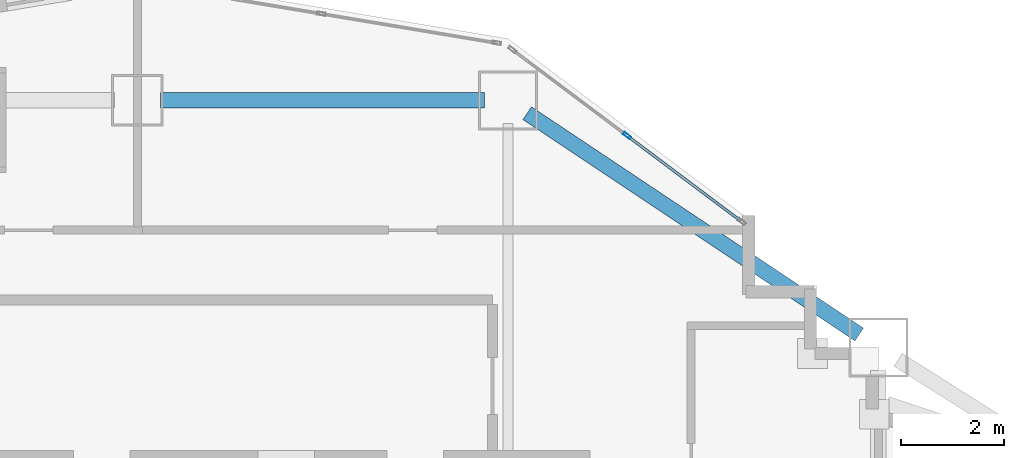
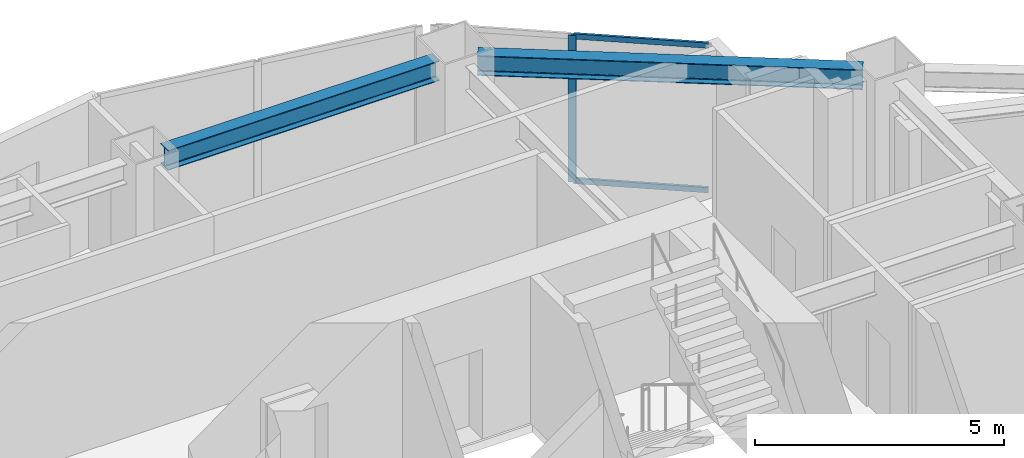
# One storey, part 3 of 16: 3 members, 2 beams, 1 element without a shape of its own.
"""IFC4 building model written with IfcOpenShell, lengths in metres."""

from ifc_helpers import new_model, si_unit, direction, frame, origin, origin_2d, place, context, subcontext, project, spatial, hollow_rectangle, i_section, extrude, material, layer, layer_set, material_profile, profile_set, type_object, element, aggregate, save


model = new_model("IFC4")

# Units and contexts
model_context = context("Model", 3, precision=1e-05, world=origin(), true_north=direction((0.0, 1.0)))
body_context = subcontext(model_context, "Body", "Model", "MODEL_VIEW")
ifc_project = project(units=[si_unit("LENGTHUNIT", "METRE"), si_unit("AREAUNIT", "SQUARE_METRE"), si_unit("VOLUMEUNIT", "CUBIC_METRE"), si_unit("PLANEANGLEUNIT", "RADIAN"), si_unit("MASSUNIT", "GRAM", prefix="KILO")], contexts=[model_context])

# Site, building, storey
site_placement = place(None, origin())
site = spatial("IfcSite", under=ifc_project, at=site_placement, CompositionType="ELEMENT")
building_placement = place(site_placement, origin())
building = spatial("IfcBuilding", under=site, at=building_placement, Name="Haolan Belvedere Tower", CompositionType="ELEMENT")
storey_placement = place(building_placement, frame((0.0, 0.0, 78.0)))
storey = spatial("IfcBuildingStorey", under=building, at=storey_placement, Name="L19", CompositionType="ELEMENT", Elevation=78.0)

# Beams
ifc_material_1 = material(Name="Steel Q355B", Category="steel")
ifc_material_profile_1 = material_profile(ifc_material_1, i_section(OverallWidth=0.300048828125, OverallDepth=0.488037109375, WebThickness=0.010986328125, FlangeThickness=0.01806640625, FilletRadius=0.02587890625, at=origin_2d()), Name="Steel Q355B")
ifc_profile_set_1 = profile_set([ifc_material_profile_1], Name="Steel Q355B")
beam_type = type_object("IfcBeamType", Name="BM-HM488x300x11x18", PredefinedType="SPANDREL", material=ifc_profile_set_1)
beam_1_placement = place(storey_placement, frame((38.85009765625, 50.39990234375, 3.35595703125), z_axis=(1.0, 0.0, 0.0), x_axis=(0.0, 1.0, 0.0)))
element("IfcBeam", 1, at=beam_1_placement, inside=storey, type_object=beam_type, Name="L19 spandrel girder TC-T3-NM-MC-T3-N2", PredefinedType="SPANDREL", context=body_context, shape_type="SweptSolid", body=[
    extrude(i_section(OverallWidth=0.300048828125, OverallDepth=0.488037109375, WebThickness=0.010986328125, FlangeThickness=0.01806640625, FilletRadius=0.02587890625, at=origin_2d()), origin(), (0.0, 0.0, 1.0), 6.2998046875),
])
beam_2_placement = place(storey_placement, frame((45.974365234375, 50.150390625, 3.35595703125), z_axis=(0.832050294338, -0.554700196225, 0.0), x_axis=(0.554700196225, 0.832050294338, 0.0)))
element("IfcBeam", 2, at=beam_2_placement, inside=storey, type_object=beam_type, Name="L19 spandrel girder MC-T3-N2-MC-T3-NE", PredefinedType="SPANDREL", context=body_context, shape_type="SweptSolid", body=[
    extrude(i_section(OverallWidth=0.300048828125, OverallDepth=0.488037109375, WebThickness=0.010986328125, FlangeThickness=0.01806640625, FilletRadius=0.02587890625, at=origin_2d()), origin(), (0.0, 0.0, 1.0), 7.75341796875),
])

# Curtain wall, members
ifc_material_2 = material(Name="Anodised champagne-silver aluminium 6063-T6 and Low-E glass", Category="aluminium")
ifc_layer = layer(ifc_material_2, 0.1650390625, Name="Anodised champagne-silver aluminium 6063-T6 and Low-E glass")
ifc_layer_set = layer_set([ifc_layer], Name="Anodised champagne-silver aluminium 6063-T6 and Low-E glass")
curtain_wall_type = type_object("IfcCurtainWallType", Name="CW-SYS-02", PredefinedType="NOTDEFINED", material=ifc_layer_set)
curtain_wall_placement = place(storey_placement, origin())
curtain_wall = element("IfcCurtainWall", 3, at=curtain_wall_placement, inside=storey, type_object=curtain_wall_type, Name="L19 CW-SYS-02 ribbon curtain wall 41.1", PredefinedType="NOTDEFINED")
ifc_material_3 = material(Name="Anodised aluminium 6063-T6", Category="aluminium")
ifc_material_profile_2 = material_profile(ifc_material_3, hollow_rectangle(XDim=0.06005859375, YDim=0.1650390625, WallThickness=0.00390625, at=origin_2d()), Name="Anodised aluminium 6063-T6")
ifc_profile_set_2 = profile_set([ifc_material_profile_2], Name="Anodised aluminium 6063-T6")
member_type_1 = type_object("IfcMemberType", Name="CW-SYS-02-MUL", PredefinedType="MULLION", material=ifc_profile_set_2)
member_1_placement = place(storey_placement, frame((47.915771484375, 49.713134765625, 0.0), z_axis=(0.0, 0.0, 1.0), x_axis=(-0.599994316874, -0.800004262313, 0.0)))
member_1 = element("IfcMember", 4, at=member_1_placement, type_object=member_type_1, Name="CW-02 mullion 2", PredefinedType="MULLION", context=body_context, shape_type="SweptSolid", body=[
    extrude(hollow_rectangle(XDim=0.06005859375, YDim=0.1650390625, WallThickness=0.00390625, at=origin_2d()), origin(), (0.0, 0.0, 1.0), 3.60009765625),
])
ifc_material_profile_3 = material_profile(ifc_material_3, hollow_rectangle(XDim=0.054931640625, YDim=0.1298828125, WallThickness=0.00390625, at=origin_2d()), Name="Anodised aluminium 6063-T6")
ifc_profile_set_3 = profile_set([ifc_material_profile_3], Name="Anodised aluminium 6063-T6")
member_type_2 = type_object("IfcMemberType", Name="CW-SYS-02-TRN", PredefinedType="USERDEFINED", material=ifc_profile_set_3)
member_2_placement = place(storey_placement, frame((50.1201171875, 48.06005859375, 0.027587890625), z_axis=(-0.800010749092, 0.599985667609, 0.0), x_axis=(-0.599985667609, -0.800010749092, 0.0)))
member_2 = element("IfcMember", 5, at=member_2_placement, type_object=member_type_2, Name="CW-02 transom 1.1", ObjectType="TRANSOM", PredefinedType="USERDEFINED", context=body_context, shape_type="SweptSolid", body=[
    extrude(hollow_rectangle(XDim=0.054931640625, YDim=0.1298828125, WallThickness=0.00390625, at=origin_2d()), origin(), (0.0, 0.0, 1.0), 2.7255859375),
])
member_3_placement = place(storey_placement, frame((50.1201171875, 48.06005859375, 3.572509765625), z_axis=(-0.800010749092, 0.599985667609, 0.0), x_axis=(-0.599985667609, -0.800010749092, 0.0)))
member_3 = element("IfcMember", 6, at=member_3_placement, type_object=member_type_2, Name="CW-02 transom 1.2", ObjectType="TRANSOM", PredefinedType="USERDEFINED", context=body_context, shape_type="SweptSolid", body=[
    extrude(hollow_rectangle(XDim=0.054931640625, YDim=0.1298828125, WallThickness=0.00390625, at=origin_2d()), origin(), (0.0, 0.0, 1.0), 2.7255859375),
])
aggregate(curtain_wall, [member_1, member_2, member_3])

save(model, "model.ifc")
